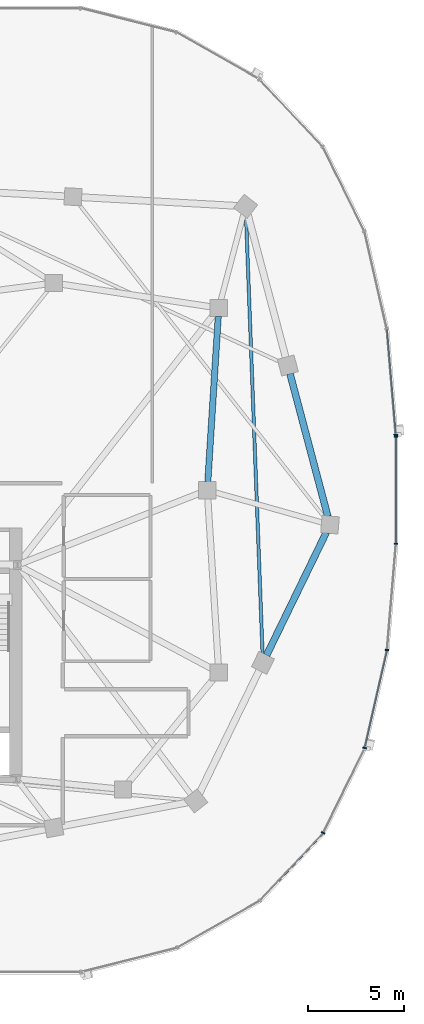
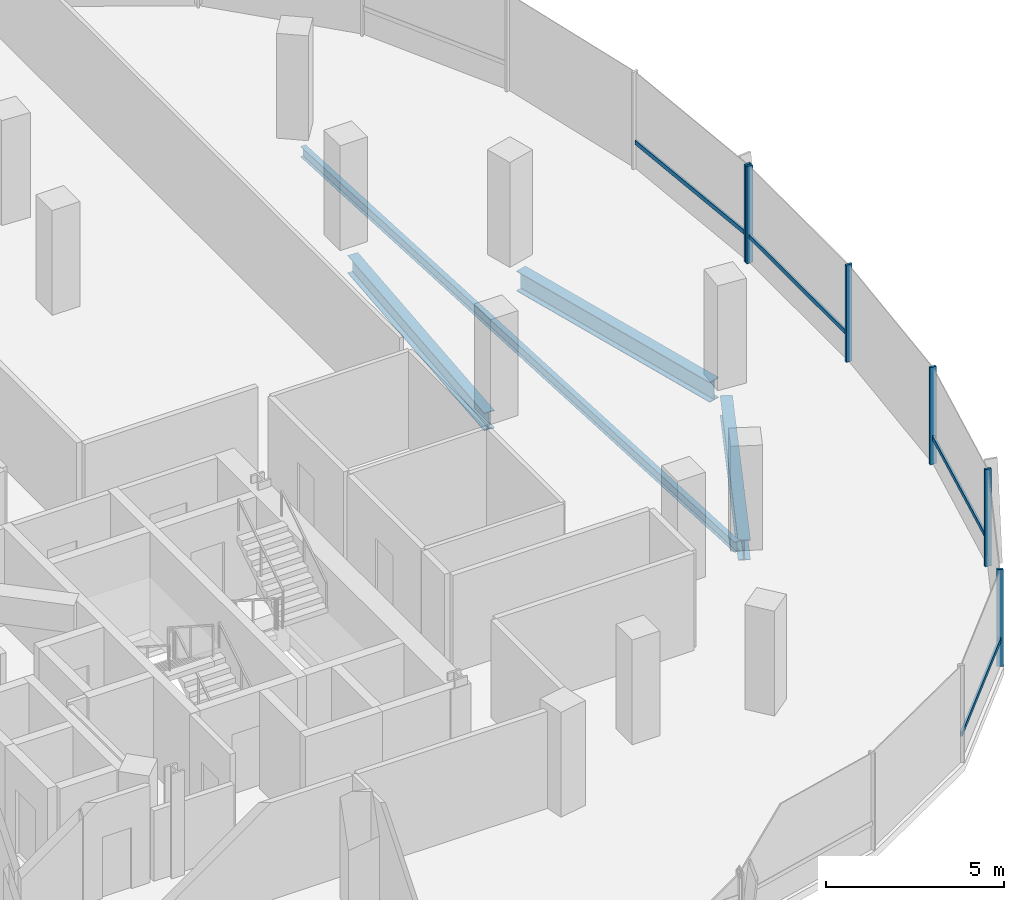
# One storey, part 10 of 24: 10 members, 4 beams, 2 elements without a shape of their own.
"""IFC4 building model written with IfcOpenShell, lengths in metres."""

from ifc_helpers import new_model, si_unit, direction, frame, origin, origin_2d, place, context, subcontext, project, spatial, rectangle, i_section, extrude, material, material_profile, profile_set, type_object, element, aggregate, save


model = new_model("IFC4")

# Units and contexts
model_context = context("Model", 3, precision=1e-05, world=origin(), true_north=direction((0.0, 1.0)))
body_context = subcontext(model_context, "Body", "Model", "MODEL_VIEW")
ifc_project = project(units=[si_unit("LENGTHUNIT", "METRE"), si_unit("AREAUNIT", "SQUARE_METRE"), si_unit("VOLUMEUNIT", "CUBIC_METRE"), si_unit("PLANEANGLEUNIT", "RADIAN"), si_unit("MASSUNIT", "GRAM", prefix="KILO"), si_unit("THERMODYNAMICTEMPERATUREUNIT", "KELVIN"), si_unit("POWERUNIT", "WATT")], contexts=[model_context])

# Site, building, storey
site_placement = place(None, origin())
site = spatial("IfcSite", under=ifc_project, at=site_placement, CompositionType="ELEMENT")
building_placement = place(site_placement, origin())
building = spatial("IfcBuilding", under=site, at=building_placement, Name="Cundina Bronze Exchange", CompositionType="ELEMENT")
storey_placement = place(building_placement, frame((0.0, 0.0, 227.800048828125)))
storey = spatial("IfcBuildingStorey", under=building, at=storey_placement, Name="L60", CompositionType="ELEMENT", Elevation=227.800048828125)

# Beams
ifc_material_1 = material(Name="Steel ASTM A992 Grade 50", Category="steel")
ifc_material_profile_1 = material_profile(ifc_material_1, i_section(OverallWidth=0.172119140625, OverallDepth=0.35791015625, WebThickness=0.0078125, FlangeThickness=0.01318359375, FilletRadius=0.010009765625, at=origin_2d()), Name="W14X38", Category="steel")
ifc_profile_set_1 = profile_set([ifc_material_profile_1], Name="Steel ASTM A992 Grade 50")
beam_type_1 = type_object("IfcBeamType", Name="BM-JST-W14", PredefinedType="JOIST", material=ifc_profile_set_1)
beam_1_placement = place(storey_placement, frame((44.08349609375, -8.562255859375, -0.43896484375), z_axis=(-0.037790216102, 0.999285694667, 0.0), x_axis=(-0.999285694667, -0.037790216102, 0.0)))
element("IfcBeam", 1, at=beam_1_placement, inside=storey, type_object=beam_type_1, Name="L60 Leg E Lobe Floor Joist 07-10", PredefinedType="JOIST", context=body_context, shape_type="SweptSolid", body=[
    extrude(i_section(OverallWidth=0.172119140625, OverallDepth=0.35791015625, WebThickness=0.0078125, FlangeThickness=0.01318359375, FilletRadius=0.010009765625, at=origin_2d()), origin(), (0.0, 0.0, 1.0), 22.94091796875),
])
ifc_material_profile_2 = material_profile(ifc_material_1, i_section(OverallWidth=0.324951171875, OverallDepth=0.615966796875, WebThickness=0.013916015625, FlangeThickness=0.021484375, FilletRadius=0.01611328125, at=origin_2d()), Name="W24X117", Category="steel")
ifc_profile_set_2 = profile_set([ifc_material_profile_2], Name="Steel ASTM A992 Grade 50")
beam_type_2 = type_object("IfcBeamType", Name="BM-RING-W24", PredefinedType="USERDEFINED", material=ifc_profile_set_2)
beam_2_placement = place(storey_placement, frame((41.2275390625, 0.43701171875, -0.568115234375), z_axis=(0.063046519736, 0.998010589297, 0.0), x_axis=(-0.998010589297, 0.063046519736, 0.0)))
element("IfcBeam", 2, at=beam_2_placement, inside=storey, type_object=beam_type_2, Name="L60 E Inner Structural Ring Girder 04", ObjectType="GIRDER", PredefinedType="USERDEFINED", context=body_context, shape_type="SweptSolid", body=[
    extrude(i_section(OverallWidth=0.324951171875, OverallDepth=0.615966796875, WebThickness=0.013916015625, FlangeThickness=0.021484375, FilletRadius=0.01611328125, at=origin_2d()), origin(), (0.0, 0.0, 1.0), 8.64306640625),
])
ifc_material_profile_3 = material_profile(ifc_material_1, i_section(OverallWidth=0.35498046875, OverallDepth=0.695068359375, WebThickness=0.015380859375, FlangeThickness=0.02490234375, FilletRadius=0.01806640625, at=origin_2d()), Name="W27X146", Category="steel")
ifc_profile_set_3 = profile_set([ifc_material_profile_3], Name="Steel ASTM A992 Grade 50")
beam_type_3 = type_object("IfcBeamType", Name="BM-RING-W27", PredefinedType="USERDEFINED", material=ifc_profile_set_3)
beam_3_placement = place(storey_placement, frame((44.29150390625, -8.606201171875, -0.607666015625), z_axis=(0.437173087764, 0.89937739094, 0.0), x_axis=(-0.89937739094, 0.437173087764, 0.0)))
element("IfcBeam", 3, at=beam_3_placement, inside=storey, type_object=beam_type_3, Name="L60 E Perimeter Ring Girder 07", ObjectType="GIRDER", PredefinedType="USERDEFINED", context=body_context, shape_type="SweptSolid", body=[
    extrude(i_section(OverallWidth=0.35498046875, OverallDepth=0.695068359375, WebThickness=0.015380859375, FlangeThickness=0.02490234375, FilletRadius=0.01806640625, at=origin_2d()), origin(), (0.0, 0.0, 1.0), 7.1298828125),
])
beam_4_placement = place(storey_placement, frame((47.48779296875, -1.376708984375, -0.607666015625), z_axis=(-0.256211934474, 0.966620631185, 0.0), x_axis=(-0.966620631185, -0.256211934474, 0.0)))
element("IfcBeam", 4, at=beam_4_placement, inside=storey, type_object=beam_type_3, Name="L60 E Perimeter Ring Girder 08", ObjectType="GIRDER", PredefinedType="USERDEFINED", context=body_context, shape_type="SweptSolid", body=[
    extrude(i_section(OverallWidth=0.35498046875, OverallDepth=0.695068359375, WebThickness=0.015380859375, FlangeThickness=0.02490234375, FilletRadius=0.01806640625, at=origin_2d()), origin(), (0.0, 0.0, 1.0), 7.710693359375),
])

# Curtain wall, member
ifc_material_2 = material(Name="Anodised Bronze Aluminium 6063-T6", Category="aluminium")
curtain_wall_type = type_object("IfcCurtainWallType", Name="CWS-UPP-OFF", PredefinedType="NOTDEFINED", material=ifc_material_2)
curtain_wall_1_placement = place(storey_placement, origin())
curtain_wall_1 = element("IfcCurtainWall", 5, at=curtain_wall_1_placement, inside=storey, type_object=curtain_wall_type, Name="L60 CW-05 Curtain Wall Run CWR-L60-E1", PredefinedType="NOTDEFINED")
ifc_material_profile_4 = material_profile(ifc_material_2, rectangle(XDim=0.070068359375, YDim=0.18994140625, at=origin_2d()), Name="AL70X190", Category="aluminium")
ifc_profile_set_4 = profile_set([ifc_material_profile_4], Name="Anodised Bronze Aluminium 6063-T6")
member_type_1 = type_object("IfcMemberType", Name="CWM-MUL-190", PredefinedType="MULLION", material=ifc_profile_set_4)
member_1_placement = place(storey_placement, frame((51.0302734375, 2.88330078125, 0.0), z_axis=(0.0, 0.0, 1.0), x_axis=(-0.083677843332, 0.99649285925, 0.0)))
member_1 = element("IfcMember", 6, at=member_1_placement, type_object=member_type_1, Name="CW-05 Mullion 1", PredefinedType="MULLION", context=body_context, shape_type="SweptSolid", body=[
    extrude(rectangle(XDim=0.070068359375, YDim=0.18994140625, at=origin_2d()), origin(), (0.0, 0.0, 1.0), 3.33984375),
])

# Curtain wall, members
curtain_wall_2_placement = place(storey_placement, origin())
curtain_wall_2 = element("IfcCurtainWall", 7, at=curtain_wall_2_placement, inside=storey, type_object=curtain_wall_type, Name="L60 CW-05 Curtain Wall Run CWR-L60-E4", PredefinedType="NOTDEFINED")
member_2_placement = place(storey_placement, frame((47.245361328125, -17.866455078125, 0.0), z_axis=(0.0, 0.0, 1.0), x_axis=(0.440566004113, 0.897720221461, 0.0)))
member_2 = element("IfcMember", 8, at=member_2_placement, type_object=member_type_1, Name="CW-05 Mullion 4", PredefinedType="MULLION", context=body_context, shape_type="SweptSolid", body=[
    extrude(rectangle(XDim=0.070068359375, YDim=0.18994140625, at=origin_2d()), origin(), (0.0, 0.0, 1.0), 3.33984375),
])
member_3_placement = place(storey_placement, frame((49.40771484375, -13.440673828125, 0.0), z_axis=(0.0, 0.0, 1.0), x_axis=(0.223250116011, 0.974761194191, 0.0)))
member_3 = element("IfcMember", 9, at=member_3_placement, type_object=member_type_1, Name="CW-05 Mullion 5", PredefinedType="MULLION", context=body_context, shape_type="SweptSolid", body=[
    extrude(rectangle(XDim=0.070068359375, YDim=0.18994140625, at=origin_2d()), origin(), (0.0, 0.0, 1.0), 3.33984375),
])
member_4_placement = place(storey_placement, frame((50.572509765625, -8.33056640625, 0.0), z_axis=(0.0, 0.0, 1.0), x_axis=(0.083677843332, 0.99649285925, 0.0)))
member_4 = element("IfcMember", 10, at=member_4_placement, type_object=member_type_1, Name="CW-05 Mullion 6", PredefinedType="MULLION", context=body_context, shape_type="SweptSolid", body=[
    extrude(rectangle(XDim=0.070068359375, YDim=0.18994140625, at=origin_2d()), origin(), (0.0, 0.0, 1.0), 3.33984375),
])
member_5_placement = place(storey_placement, frame((51.033935546875, -2.794921875, 0.0), z_axis=(0.0, 0.0, 1.0), x_axis=(0.0, 1.0, 0.0)))
member_5 = element("IfcMember", 11, at=member_5_placement, type_object=member_type_1, Name="CW-05 Mullion 7", PredefinedType="MULLION", context=body_context, shape_type="SweptSolid", body=[
    extrude(rectangle(XDim=0.070068359375, YDim=0.18994140625, at=origin_2d()), origin(), (0.0, 0.0, 1.0), 3.33984375),
])
member_6_placement = place(storey_placement, frame((51.033935546875, 2.794921875, 0.0), z_axis=(0.0, 0.0, 1.0), x_axis=(0.0, 1.0, 0.0)))
member_6 = element("IfcMember", 12, at=member_6_placement, type_object=member_type_1, Name="CW-05 End Mullion", PredefinedType="MULLION", context=body_context, shape_type="SweptSolid", body=[
    extrude(rectangle(XDim=0.070068359375, YDim=0.18994140625, at=origin_2d()), origin(), (0.0, 0.0, 1.0), 3.33984375),
])

# Member
ifc_material_profile_5 = material_profile(ifc_material_2, rectangle(XDim=0.06494140625, YDim=0.14990234375, at=origin_2d()), Name="AL65X150", Category="aluminium")
ifc_profile_set_5 = profile_set([ifc_material_profile_5], Name="Anodised Bronze Aluminium 6063-T6")
member_type_2 = type_object("IfcMemberType", Name="CWM-TRN-150", PredefinedType="USERDEFINED", material=ifc_profile_set_5)
member_7_placement = place(storey_placement, frame((51.027099609375, 2.921630859375, 0.919921875), z_axis=(-0.083740331158, 0.996487610027, 0.0), x_axis=(-0.996487610027, -0.083740331158, 0.0)))
member_7 = element("IfcMember", 13, at=member_7_placement, type_object=member_type_2, Name="CW-05 Spandrel Transom 1", ObjectType="TRANSOM", PredefinedType="USERDEFINED", context=body_context, shape_type="SweptSolid", body=[
    extrude(rectangle(XDim=0.06494140625, YDim=0.14990234375, at=origin_2d()), origin(), (0.0, 0.0, 1.0), 5.466552734375),
])

aggregate(curtain_wall_1, [member_1, member_7])

member_8_placement = place(storey_placement, frame((43.97509765625, -21.364501953125, 0.919921875), z_axis=(0.684336416554, 0.729166420633, 0.0), x_axis=(-0.729166420633, 0.684336416554, 0.0)))
member_8 = element("IfcMember", 14, at=member_8_placement, type_object=member_type_2, Name="CW-05 Spandrel Transom 3", ObjectType="TRANSOM", PredefinedType="USERDEFINED", context=body_context, shape_type="SweptSolid", body=[
    extrude(rectangle(XDim=0.06494140625, YDim=0.14990234375, at=origin_2d()), origin(), (0.0, 0.0, 1.0), 4.76513671875),
])

member_9_placement = place(storey_placement, frame((49.41650390625, -13.403076171875, 0.919921875), z_axis=(0.22328343579, 0.974753562344, 0.0), x_axis=(-0.974753562344, 0.22328343579, 0.0)))
member_9 = element("IfcMember", 15, at=member_9_placement, type_object=member_type_2, Name="CW-05 Spandrel Transom 5", ObjectType="TRANSOM", PredefinedType="USERDEFINED", context=body_context, shape_type="SweptSolid", body=[
    extrude(rectangle(XDim=0.06494140625, YDim=0.14990234375, at=origin_2d()), origin(), (0.0, 0.0, 1.0), 5.159912109375),
])

member_10_placement = place(storey_placement, frame((51.033935546875, -2.756591796875, 0.919921875), z_axis=(0.0, 1.0, 0.0), x_axis=(-1.0, 0.0, 0.0)))
member_10 = element("IfcMember", 16, at=member_10_placement, type_object=member_type_2, Name="CW-05 Spandrel Transom 7", ObjectType="TRANSOM", PredefinedType="USERDEFINED", context=body_context, shape_type="SweptSolid", body=[
    extrude(rectangle(XDim=0.06494140625, YDim=0.14990234375, at=origin_2d()), origin(), (0.0, 0.0, 1.0), 5.51318359375),
])

aggregate(curtain_wall_2, [member_8, member_2, member_3, member_9, member_4, member_5, member_6, member_10])

save(model, "model.ifc")
